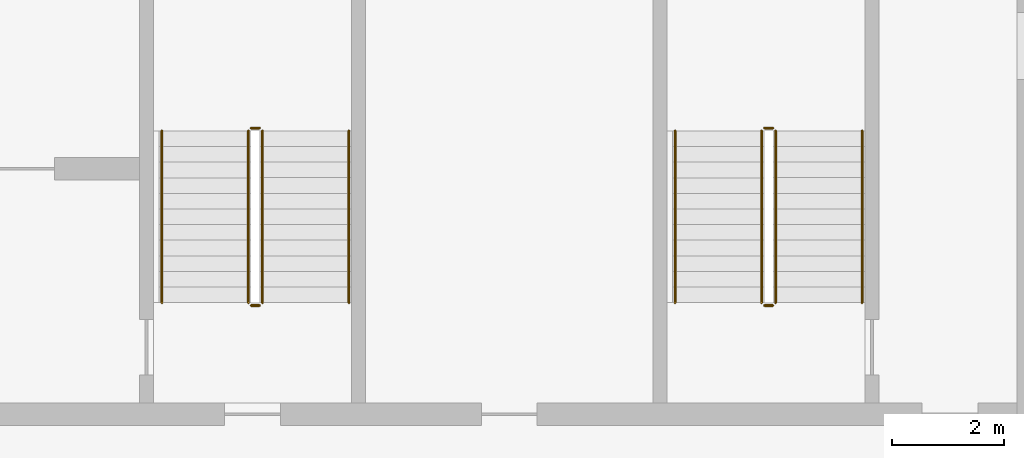
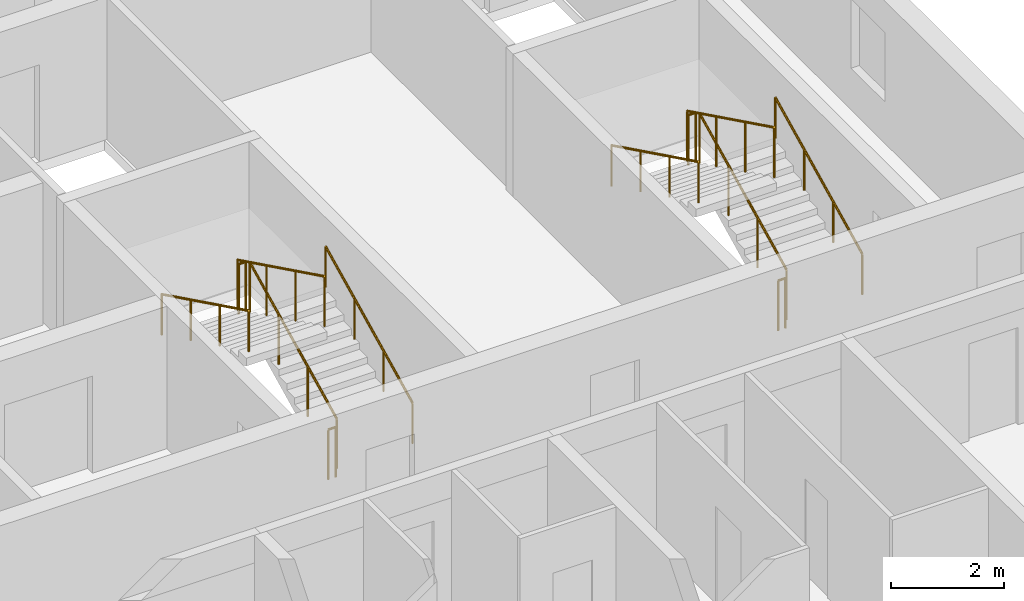
# One storey, part 15 of 27: 12 railings.
"""IFC4 building model written with IfcOpenShell, lengths in metres."""

from ifc_helpers import new_model, si_unit, direction, frame, origin, origin_2d, place, context, subcontext, project, spatial, circle, extrude, material, type_object, element, save


model = new_model("IFC4")

# Units and contexts
model_context = context("Model", 3, precision=1e-05, world=origin(), true_north=direction((0.0, 1.0)))
body_context = subcontext(model_context, "Body", "Model", "MODEL_VIEW")
ifc_project = project(units=[si_unit("LENGTHUNIT", "METRE"), si_unit("AREAUNIT", "SQUARE_METRE"), si_unit("VOLUMEUNIT", "CUBIC_METRE"), si_unit("PLANEANGLEUNIT", "RADIAN"), si_unit("MASSUNIT", "GRAM", prefix="KILO")], contexts=[model_context])

# Site, building, storey
site_placement = place(None, origin())
site = spatial("IfcSite", under=ifc_project, at=site_placement, CompositionType="ELEMENT")
building_placement = place(site_placement, origin())
building = spatial("IfcBuilding", under=site, at=building_placement, Name="Poui Terraces", CompositionType="ELEMENT")
storey_placement = place(building_placement, frame((0.0, 0.0, 204.89990234375)))
storey = spatial("IfcBuildingStorey", under=building, at=storey_placement, Name="L57", CompositionType="ELEMENT", Elevation=204.89990234375)

# Railings
ifc_material_1 = material(Name="Galvanised steel balustrade", Category="steel")
railing_type_1 = type_object("IfcRailingType", Name="STAIR GUARD 1100", PredefinedType="GUARDRAIL", material=ifc_material_1)
railing_1_placement = place(storey_placement, frame((70.27490234375, 16.60009765625, 0.1376953125)))
element("IfcRailing", 1, at=railing_1_placement, inside=storey, type_object=railing_type_1, Name="L57 ST-CE stair guard 1", PredefinedType="GUARDRAIL", context=body_context, shape_type="SweptSolid", body=[
    extrude(circle(Radius=0.02392578125, at=origin_2d()), frame((0.0, 0.0, 1.076171875), z_axis=(0.0, 0.897606190399, 0.440798283751), x_axis=(-1.0, 0.0, 0.0)), (0.0, 0.0, 1.0), 3.43115234375),
    extrude(circle(Radius=0.02099609375, at=origin_2d()), origin(), (0.0, 0.0, 1.0), 1.052001953125),
    extrude(circle(Radius=0.02099609375, at=origin_2d()), frame((0.0, 1.026611328125, 0.504150390625)), (0.0, 0.0, 1.0), 1.052001953125),
    extrude(circle(Radius=0.02099609375, at=origin_2d()), frame((0.0, 2.05322265625, 1.00830078125)), (0.0, 0.0, 1.0), 1.052001953125),
    extrude(circle(Radius=0.02099609375, at=origin_2d()), frame((0.0, 3.079833984375, 1.512451171875)), (0.0, 0.0, 1.0), 1.052001953125),
])
railing_2_placement = place(storey_placement, frame((70.22509765625, 19.72998046875, 1.650146484375)))
element("IfcRailing", 2, at=railing_2_placement, inside=storey, type_object=railing_type_1, Name="L57 ST-CE stair guard 2", PredefinedType="GUARDRAIL", context=body_context, shape_type="SweptSolid", body=[
    extrude(circle(Radius=0.02392578125, at=origin_2d()), frame((0.0, 0.0, 1.076171875), z_axis=(-1.0, 0.0, 0.0), x_axis=(0.0, -1.0, 0.0)), (0.0, 0.0, 1.0), 0.150146484375),
    extrude(circle(Radius=0.02099609375, at=origin_2d()), origin(), (0.0, 0.0, 1.0), 1.052001953125),
    extrude(circle(Radius=0.02099609375, at=origin_2d()), frame((-0.150146484375, 0.0, 0.0)), (0.0, 0.0, 1.0), 1.052001953125),
])
railing_3_placement = place(storey_placement, frame((70.02490234375, 19.679931640625, 1.78759765625)))
element("IfcRailing", 3, at=railing_3_placement, inside=storey, type_object=railing_type_1, Name="L57 ST-CE stair guard 3", PredefinedType="GUARDRAIL", context=body_context, shape_type="SweptSolid", body=[
    extrude(circle(Radius=0.02392578125, at=origin_2d()), frame((0.0, 0.0, 1.076171875), z_axis=(0.0, -0.897606190399, 0.440798283751), x_axis=(1.0, 0.0, 0.0)), (0.0, 0.0, 1.0), 3.43115234375),
    extrude(circle(Radius=0.02099609375, at=origin_2d()), origin(), (0.0, 0.0, 1.0), 1.052001953125),
    extrude(circle(Radius=0.02099609375, at=origin_2d()), frame((0.0, -1.026611328125, 0.504150390625)), (0.0, 0.0, 1.0), 1.052001953125),
    extrude(circle(Radius=0.02099609375, at=origin_2d()), frame((0.0, -2.05322265625, 1.00830078125)), (0.0, 0.0, 1.0), 1.052001953125),
    extrude(circle(Radius=0.02099609375, at=origin_2d()), frame((0.0, -3.079833984375, 1.512451171875)), (0.0, 0.0, 1.0), 1.052001953125),
])
railing_4_placement = place(storey_placement, frame((70.22509765625, 16.550048828125, 0.0)))
element("IfcRailing", 4, at=railing_4_placement, inside=storey, type_object=railing_type_1, Name="L57 ST-CE stair guard 4", PredefinedType="GUARDRAIL", context=body_context, shape_type="SweptSolid", body=[
    extrude(circle(Radius=0.02392578125, at=origin_2d()), frame((0.0, 0.0, 1.076171875), z_axis=(-1.0, 0.0, 0.0), x_axis=(0.0, -1.0, 0.0)), (0.0, 0.0, 1.0), 0.150146484375),
    extrude(circle(Radius=0.02099609375, at=origin_2d()), origin(), (0.0, 0.0, 1.0), 1.052001953125),
    extrude(circle(Radius=0.02099609375, at=origin_2d()), frame((-0.150146484375, 0.0, 0.0)), (0.0, 0.0, 1.0), 1.052001953125),
])
railing_5_placement = place(storey_placement, frame((79.47509765625, 16.60009765625, 0.1376953125)))
element("IfcRailing", 5, at=railing_5_placement, inside=storey, type_object=railing_type_1, Name="L57 ST-E stair guard 1", PredefinedType="GUARDRAIL", context=body_context, shape_type="SweptSolid", body=[
    extrude(circle(Radius=0.02392578125, at=origin_2d()), frame((0.0, 0.0, 1.076171875), z_axis=(0.0, 0.897606190399, 0.440798283751), x_axis=(-1.0, 0.0, 0.0)), (0.0, 0.0, 1.0), 3.43115234375),
    extrude(circle(Radius=0.02099609375, at=origin_2d()), origin(), (0.0, 0.0, 1.0), 1.052001953125),
    extrude(circle(Radius=0.02099609375, at=origin_2d()), frame((0.0, 1.026611328125, 0.504150390625)), (0.0, 0.0, 1.0), 1.052001953125),
    extrude(circle(Radius=0.02099609375, at=origin_2d()), frame((0.0, 2.05322265625, 1.00830078125)), (0.0, 0.0, 1.0), 1.052001953125),
    extrude(circle(Radius=0.02099609375, at=origin_2d()), frame((0.0, 3.079833984375, 1.512451171875)), (0.0, 0.0, 1.0), 1.052001953125),
])
railing_6_placement = place(storey_placement, frame((79.425048828125, 19.72998046875, 1.650146484375)))
element("IfcRailing", 6, at=railing_6_placement, inside=storey, type_object=railing_type_1, Name="L57 ST-E stair guard 2", PredefinedType="GUARDRAIL", context=body_context, shape_type="SweptSolid", body=[
    extrude(circle(Radius=0.02392578125, at=origin_2d()), frame((0.0, 0.0, 1.076171875), z_axis=(-1.0, 0.0, 0.0), x_axis=(0.0, -1.0, 0.0)), (0.0, 0.0, 1.0), 0.150146484375),
    extrude(circle(Radius=0.02099609375, at=origin_2d()), origin(), (0.0, 0.0, 1.0), 1.052001953125),
    extrude(circle(Radius=0.02099609375, at=origin_2d()), frame((-0.150146484375, 0.0, 0.0)), (0.0, 0.0, 1.0), 1.052001953125),
])
railing_7_placement = place(storey_placement, frame((79.22509765625, 19.679931640625, 1.78759765625)))
element("IfcRailing", 7, at=railing_7_placement, inside=storey, type_object=railing_type_1, Name="L57 ST-E stair guard 3", PredefinedType="GUARDRAIL", context=body_context, shape_type="SweptSolid", body=[
    extrude(circle(Radius=0.02392578125, at=origin_2d()), frame((0.0, 0.0, 1.076171875), z_axis=(0.0, -0.897606190399, 0.440798283751), x_axis=(1.0, 0.0, 0.0)), (0.0, 0.0, 1.0), 3.43115234375),
    extrude(circle(Radius=0.02099609375, at=origin_2d()), origin(), (0.0, 0.0, 1.0), 1.052001953125),
    extrude(circle(Radius=0.02099609375, at=origin_2d()), frame((0.0, -1.026611328125, 0.504150390625)), (0.0, 0.0, 1.0), 1.052001953125),
    extrude(circle(Radius=0.02099609375, at=origin_2d()), frame((0.0, -2.05322265625, 1.00830078125)), (0.0, 0.0, 1.0), 1.052001953125),
    extrude(circle(Radius=0.02099609375, at=origin_2d()), frame((0.0, -3.079833984375, 1.512451171875)), (0.0, 0.0, 1.0), 1.052001953125),
])
railing_8_placement = place(storey_placement, frame((79.425048828125, 16.550048828125, 0.0)))
element("IfcRailing", 8, at=railing_8_placement, inside=storey, type_object=railing_type_1, Name="L57 ST-E stair guard 4", PredefinedType="GUARDRAIL", context=body_context, shape_type="SweptSolid", body=[
    extrude(circle(Radius=0.02392578125, at=origin_2d()), frame((0.0, 0.0, 1.076171875), z_axis=(-1.0, 0.0, 0.0), x_axis=(0.0, -1.0, 0.0)), (0.0, 0.0, 1.0), 0.150146484375),
    extrude(circle(Radius=0.02099609375, at=origin_2d()), origin(), (0.0, 0.0, 1.0), 1.052001953125),
    extrude(circle(Radius=0.02099609375, at=origin_2d()), frame((-0.150146484375, 0.0, 0.0)), (0.0, 0.0, 1.0), 1.052001953125),
])
ifc_material_2 = material(Name="Stainless steel handrail", Category="steel")
railing_type_2 = type_object("IfcRailingType", Name="STAIR HANDRAIL 900", PredefinedType="HANDRAIL", material=ifc_material_2)
railing_9_placement = place(storey_placement, frame((71.824951171875, 16.60009765625, 0.1376953125)))
element("IfcRailing", 9, at=railing_9_placement, inside=storey, type_object=railing_type_2, Name="L57 ST-CE stair handrail 1", PredefinedType="HANDRAIL", context=body_context, shape_type="SweptSolid", body=[
    extrude(circle(Radius=0.02392578125, at=origin_2d()), frame((0.0, 0.0, 0.8759765625), z_axis=(0.0, 0.897606190399, 0.440798283751), x_axis=(-1.0, 0.0, 0.0)), (0.0, 0.0, 1.0), 3.43115234375),
    extrude(circle(Radius=0.02099609375, at=origin_2d()), origin(), (0.0, 0.0, 1.0), 0.851806640625),
    extrude(circle(Radius=0.02099609375, at=origin_2d()), frame((0.0, 1.026611328125, 0.504150390625)), (0.0, 0.0, 1.0), 0.851806640625),
    extrude(circle(Radius=0.02099609375, at=origin_2d()), frame((0.0, 2.05322265625, 1.00830078125)), (0.0, 0.0, 1.0), 0.851806640625),
    extrude(circle(Radius=0.02099609375, at=origin_2d()), frame((0.0, 3.079833984375, 1.512451171875)), (0.0, 0.0, 1.0), 0.851806640625),
])
railing_10_placement = place(storey_placement, frame((68.47509765625, 19.679931640625, 1.78759765625)))
element("IfcRailing", 10, at=railing_10_placement, inside=storey, type_object=railing_type_2, Name="L57 ST-CE stair handrail 2", PredefinedType="HANDRAIL", context=body_context, shape_type="SweptSolid", body=[
    extrude(circle(Radius=0.02392578125, at=origin_2d()), frame((0.0, 0.0, 0.8759765625), z_axis=(0.0, -0.897606190399, 0.440798283751), x_axis=(1.0, 0.0, 0.0)), (0.0, 0.0, 1.0), 3.43115234375),
    extrude(circle(Radius=0.02099609375, at=origin_2d()), origin(), (0.0, 0.0, 1.0), 0.851806640625),
    extrude(circle(Radius=0.02099609375, at=origin_2d()), frame((0.0, -1.026611328125, 0.504150390625)), (0.0, 0.0, 1.0), 0.851806640625),
    extrude(circle(Radius=0.02099609375, at=origin_2d()), frame((0.0, -2.05322265625, 1.00830078125)), (0.0, 0.0, 1.0), 0.851806640625),
    extrude(circle(Radius=0.02099609375, at=origin_2d()), frame((0.0, -3.079833984375, 1.512451171875)), (0.0, 0.0, 1.0), 0.851806640625),
])
railing_11_placement = place(storey_placement, frame((81.02490234375, 16.60009765625, 0.1376953125)))
element("IfcRailing", 11, at=railing_11_placement, inside=storey, type_object=railing_type_2, Name="L57 ST-E stair handrail 1", PredefinedType="HANDRAIL", context=body_context, shape_type="SweptSolid", body=[
    extrude(circle(Radius=0.02392578125, at=origin_2d()), frame((0.0, 0.0, 0.8759765625), z_axis=(0.0, 0.897606190399, 0.440798283751), x_axis=(-1.0, 0.0, 0.0)), (0.0, 0.0, 1.0), 3.43115234375),
    extrude(circle(Radius=0.02099609375, at=origin_2d()), origin(), (0.0, 0.0, 1.0), 0.851806640625),
    extrude(circle(Radius=0.02099609375, at=origin_2d()), frame((0.0, 1.026611328125, 0.504150390625)), (0.0, 0.0, 1.0), 0.851806640625),
    extrude(circle(Radius=0.02099609375, at=origin_2d()), frame((0.0, 2.05322265625, 1.00830078125)), (0.0, 0.0, 1.0), 0.851806640625),
    extrude(circle(Radius=0.02099609375, at=origin_2d()), frame((0.0, 3.079833984375, 1.512451171875)), (0.0, 0.0, 1.0), 0.851806640625),
])
railing_12_placement = place(storey_placement, frame((77.675048828125, 19.679931640625, 1.78759765625)))
element("IfcRailing", 12, at=railing_12_placement, inside=storey, type_object=railing_type_2, Name="L57 ST-E stair handrail 2", PredefinedType="HANDRAIL", context=body_context, shape_type="SweptSolid", body=[
    extrude(circle(Radius=0.02392578125, at=origin_2d()), frame((0.0, 0.0, 0.8759765625), z_axis=(0.0, -0.897606190399, 0.440798283751), x_axis=(1.0, 0.0, 0.0)), (0.0, 0.0, 1.0), 3.43115234375),
    extrude(circle(Radius=0.02099609375, at=origin_2d()), origin(), (0.0, 0.0, 1.0), 0.851806640625),
    extrude(circle(Radius=0.02099609375, at=origin_2d()), frame((0.0, -1.026611328125, 0.504150390625)), (0.0, 0.0, 1.0), 0.851806640625),
    extrude(circle(Radius=0.02099609375, at=origin_2d()), frame((0.0, -2.05322265625, 1.00830078125)), (0.0, 0.0, 1.0), 0.851806640625),
    extrude(circle(Radius=0.02099609375, at=origin_2d()), frame((0.0, -3.079833984375, 1.512451171875)), (0.0, 0.0, 1.0), 0.851806640625),
])

save(model, "model.ifc")
